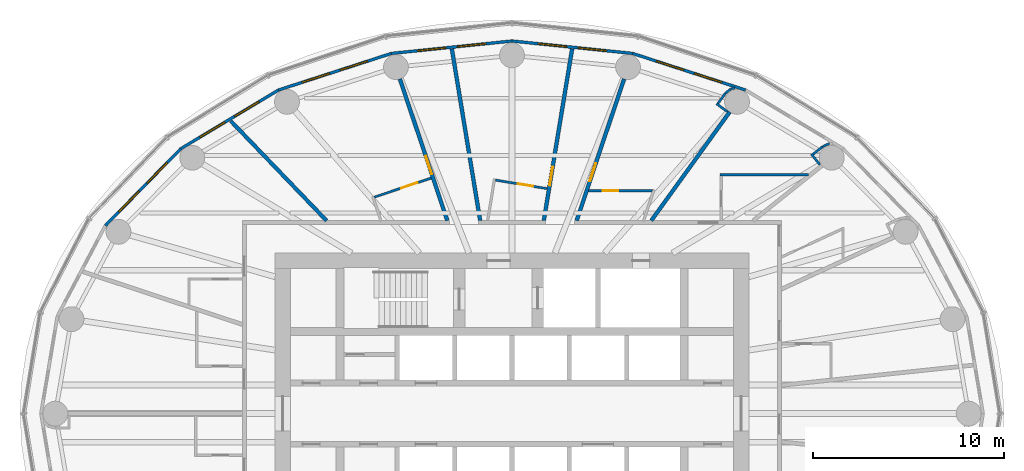
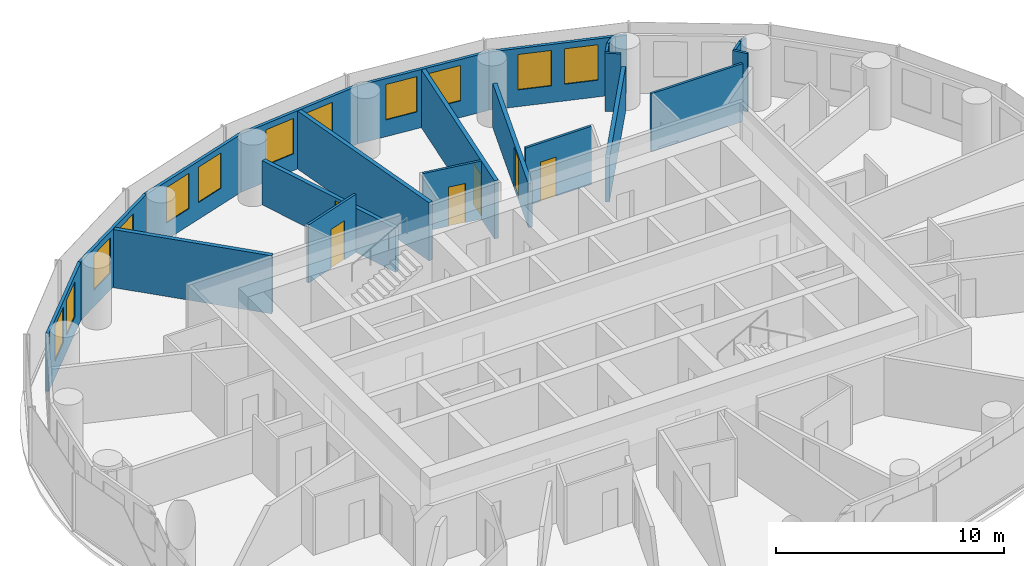
# One storey, part 11 of 13: 23 walls, 12 windows, 6 doors, 18 openings.
"""IFC4 building model written with IfcOpenShell, lengths in metres."""

from ifc_helpers import new_model, si_unit, direction, frame, frame_2d, origin, place, context, subcontext, project, spatial, rectangle, extrude, material, layer, layer_set, type_object, element, fill, save


model = new_model("IFC4")

# Units and contexts
model_context = context("Model", 3, precision=1e-05, world=origin(), true_north=direction((0.0, 1.0)))
body_context = subcontext(model_context, "Body", "Model", "MODEL_VIEW")
ifc_project = project(units=[si_unit("LENGTHUNIT", "METRE"), si_unit("AREAUNIT", "SQUARE_METRE"), si_unit("VOLUMEUNIT", "CUBIC_METRE"), si_unit("PLANEANGLEUNIT", "RADIAN"), si_unit("MASSUNIT", "GRAM", prefix="KILO")], contexts=[model_context])

# Site, building, storey
site_placement = place(None, origin())
site = spatial("IfcSite", under=ifc_project, at=site_placement, CompositionType="ELEMENT")
building_placement = place(site_placement, origin())
building = spatial("IfcBuilding", under=site, at=building_placement, Name="Hankou Lantern Tower", CompositionType="ELEMENT")
storey_placement = place(building_placement, frame((0.0, 0.0, 125.39990234375)))
storey = spatial("IfcBuildingStorey", under=building, at=storey_placement, Name="L32", CompositionType="ELEMENT", Elevation=125.39990234375)

# Wall, openings, windows
ifc_material_1 = material(Name="Aluminium spandrel panel on steel studs", Category="steel")
ifc_layer_1 = layer(ifc_material_1, 0.14990234375)
ifc_layer_set_1 = layer_set([ifc_layer_1], Name="Aluminium spandrel panel on steel studs")
wall_type_1 = type_object("IfcWallType", Name="EW1 INNER SKIN WALL 150", PredefinedType="ELEMENTEDWALL", material=ifc_layer_set_1)
wall_1_placement = place(storey_placement, frame((12.221435546875, 16.9345703125, 0.0), z_axis=(0.0, 0.0, 1.0), x_axis=(-0.951272691506, 0.308350881944, 0.0)))
wall_1 = element("IfcWall", 1, at=wall_1_placement, inside=storey, type_object=wall_type_1, Name="Inner skin R05-R06 L32", PredefinedType="ELEMENTEDWALL", context=body_context, shape_type="SweptSolid", body=[
    extrude(rectangle(XDim=6.210693359375, YDim=0.14990234375, at=frame_2d((3.10546875, 0.0))), origin(), (0.0, 0.0, 1.0), 3.1201171875),
])
opening_1_placement = place(wall_1_placement, frame((1.305419921875, 0.0, 0.89990234375)))
opening_1 = element("IfcOpeningElement", 2, at=opening_1_placement, cuts=wall_1, Name="Opening W2", PredefinedType="OPENING", context=body_context, shape_type="SweptSolid", body=[
    extrude(rectangle(XDim=1.5, YDim=1.89990234375, at=frame_2d((0.75, 0.949951171875))), frame((0.0, 0.0849609375, 0.0), z_axis=(0.0, -1.0, 0.0), x_axis=(1.0, 0.0, 0.0)), (0.0, 0.0, 1.0), 0.169921875),
])
opening_2_placement = place(wall_1_placement, frame((3.4052734375, 0.0, 0.89990234375)))
opening_2 = element("IfcOpeningElement", 3, at=opening_2_placement, cuts=wall_1, Name="Opening W2", PredefinedType="OPENING", context=body_context, shape_type="SweptSolid", body=[
    extrude(rectangle(XDim=1.5, YDim=1.89990234375, at=frame_2d((0.75, 0.949951171875))), frame((0.0, 0.0849609375, 0.0), z_axis=(0.0, -1.0, 0.0), x_axis=(1.0, 0.0, 0.0)), (0.0, 0.0, 1.0), 0.169921875),
])
ifc_material_2 = material(Name="Aluminium framed double glazed window", Category="aluminium")
window_type = type_object("IfcWindowType", Name="W2 GUEST ROOM WINDOW 1500X1900", PartitioningType="DOUBLE_PANEL_VERTICAL", PredefinedType="WINDOW", material=ifc_material_2)
window_1_placement = place(opening_1_placement, origin())
window_1 = element("IfcWindow", 4, at=window_1_placement, inside=storey, type_object=window_type, Name="Window R05.1 L32", OverallHeight=1.89990234375, OverallWidth=1.5, PartitioningType="SINGLE_PANEL", PredefinedType="WINDOW", context=body_context, shape_type="SweptSolid", body=[
    extrude(rectangle(XDim=1.5, YDim=1.89990234375, at=frame_2d((0.75, 0.949951171875))), frame((0.0, 0.030029296875, 0.0), z_axis=(0.0, -1.0, 0.0), x_axis=(1.0, 0.0, 0.0)), (0.0, 0.0, 1.0), 0.06005859375),
])
fill(opening_1, window_1)
window_2_placement = place(opening_2_placement, origin())
window_2 = element("IfcWindow", 5, at=window_2_placement, inside=storey, type_object=window_type, Name="Window R05.2 L32", OverallHeight=1.89990234375, OverallWidth=1.5, PartitioningType="SINGLE_PANEL", PredefinedType="WINDOW", context=body_context, shape_type="SweptSolid", body=[
    extrude(rectangle(XDim=1.5, YDim=1.89990234375, at=frame_2d((0.75, 0.949951171875))), frame((0.0, 0.030029296875, 0.0), z_axis=(0.0, -1.0, 0.0), x_axis=(1.0, 0.0, 0.0)), (0.0, 0.0, 1.0), 0.06005859375),
])
fill(opening_2, window_2)

wall_2_placement = place(storey_placement, frame((6.3134765625, 18.849609375, 0.0), z_axis=(0.0, 0.0, 1.0), x_axis=(-0.994735690163, 0.102473931887, 0.0)))
wall_2 = element("IfcWall", 6, at=wall_2_placement, inside=storey, type_object=wall_type_1, Name="Inner skin R06-R07 L32", PredefinedType="ELEMENTEDWALL", context=body_context, shape_type="SweptSolid", body=[
    extrude(rectangle(XDim=6.346923828125, YDim=0.14990234375, at=frame_2d((3.17333984375, 0.0))), origin(), (0.0, 0.0, 1.0), 3.1201171875),
])
opening_3_placement = place(wall_2_placement, frame((1.373291015625, 0.0, 0.89990234375)))
opening_3 = element("IfcOpeningElement", 7, at=opening_3_placement, cuts=wall_2, Name="Opening W2", PredefinedType="OPENING", context=body_context, shape_type="SweptSolid", body=[
    extrude(rectangle(XDim=1.5, YDim=1.89990234375, at=frame_2d((0.75, 0.949951171875))), frame((0.0, 0.0849609375, 0.0), z_axis=(0.0, -1.0, 0.0), x_axis=(1.0, 0.0, 0.0)), (0.0, 0.0, 1.0), 0.169921875),
])
opening_4_placement = place(wall_2_placement, frame((3.473388671875, 0.0, 0.89990234375)))
opening_4 = element("IfcOpeningElement", 8, at=opening_4_placement, cuts=wall_2, Name="Opening W2", PredefinedType="OPENING", context=body_context, shape_type="SweptSolid", body=[
    extrude(rectangle(XDim=1.5, YDim=1.89990234375, at=frame_2d((0.75, 0.949951171875))), frame((0.0, 0.0849609375, 0.0), z_axis=(0.0, -1.0, 0.0), x_axis=(1.0, 0.0, 0.0)), (0.0, 0.0, 1.0), 0.169921875),
])
window_3_placement = place(opening_3_placement, origin())
window_3 = element("IfcWindow", 9, at=window_3_placement, inside=storey, type_object=window_type, Name="Window R06.1 L32", OverallHeight=1.89990234375, OverallWidth=1.5, PartitioningType="SINGLE_PANEL", PredefinedType="WINDOW", context=body_context, shape_type="SweptSolid", body=[
    extrude(rectangle(XDim=1.5, YDim=1.89990234375, at=frame_2d((0.75, 0.949951171875))), frame((0.0, 0.030029296875, 0.0), z_axis=(0.0, -1.0, 0.0), x_axis=(1.0, 0.0, 0.0)), (0.0, 0.0, 1.0), 0.06005859375),
])
fill(opening_3, window_3)
window_4_placement = place(opening_4_placement, origin())
window_4 = element("IfcWindow", 10, at=window_4_placement, inside=storey, type_object=window_type, Name="Window R06.2 L32", OverallHeight=1.89990234375, OverallWidth=1.5, PartitioningType="SINGLE_PANEL", PredefinedType="WINDOW", context=body_context, shape_type="SweptSolid", body=[
    extrude(rectangle(XDim=1.5, YDim=1.89990234375, at=frame_2d((0.75, 0.949951171875))), frame((0.0, 0.030029296875, 0.0), z_axis=(0.0, -1.0, 0.0), x_axis=(1.0, 0.0, 0.0)), (0.0, 0.0, 1.0), 0.06005859375),
])
fill(opening_4, window_4)

wall_3_placement = place(storey_placement, frame((0.0, 19.5, 0.0), z_axis=(0.0, 0.0, 1.0), x_axis=(-0.994735690163, -0.102473931887, 0.0)))
wall_3 = element("IfcWall", 11, at=wall_3_placement, inside=storey, type_object=wall_type_1, Name="Inner skin R07-R08 L32", PredefinedType="ELEMENTEDWALL", context=body_context, shape_type="SweptSolid", body=[
    extrude(rectangle(XDim=6.346923828125, YDim=0.14990234375, at=frame_2d((3.17333984375, 0.0))), origin(), (0.0, 0.0, 1.0), 3.1201171875),
])
opening_5_placement = place(wall_3_placement, frame((1.373291015625, 0.0, 0.89990234375)))
opening_5 = element("IfcOpeningElement", 12, at=opening_5_placement, cuts=wall_3, Name="Opening W2", PredefinedType="OPENING", context=body_context, shape_type="SweptSolid", body=[
    extrude(rectangle(XDim=1.5, YDim=1.89990234375, at=frame_2d((0.75, 0.949951171875))), frame((0.0, 0.0849609375, 0.0), z_axis=(0.0, -1.0, 0.0), x_axis=(1.0, 0.0, 0.0)), (0.0, 0.0, 1.0), 0.169921875),
])
opening_6_placement = place(wall_3_placement, frame((3.473388671875, 0.0, 0.89990234375)))
opening_6 = element("IfcOpeningElement", 13, at=opening_6_placement, cuts=wall_3, Name="Opening W2", PredefinedType="OPENING", context=body_context, shape_type="SweptSolid", body=[
    extrude(rectangle(XDim=1.5, YDim=1.89990234375, at=frame_2d((0.75, 0.949951171875))), frame((0.0, 0.0849609375, 0.0), z_axis=(0.0, -1.0, 0.0), x_axis=(1.0, 0.0, 0.0)), (0.0, 0.0, 1.0), 0.169921875),
])
window_5_placement = place(opening_5_placement, origin())
window_5 = element("IfcWindow", 14, at=window_5_placement, inside=storey, type_object=window_type, Name="Window R07.1 L32", OverallHeight=1.89990234375, OverallWidth=1.5, PartitioningType="SINGLE_PANEL", PredefinedType="WINDOW", context=body_context, shape_type="SweptSolid", body=[
    extrude(rectangle(XDim=1.5, YDim=1.89990234375, at=frame_2d((0.75, 0.949951171875))), frame((0.0, 0.030029296875, 0.0), z_axis=(0.0, -1.0, 0.0), x_axis=(1.0, 0.0, 0.0)), (0.0, 0.0, 1.0), 0.06005859375),
])
fill(opening_5, window_5)
window_6_placement = place(opening_6_placement, origin())
window_6 = element("IfcWindow", 15, at=window_6_placement, inside=storey, type_object=window_type, Name="Window R07.2 L32", OverallHeight=1.89990234375, OverallWidth=1.5, PartitioningType="SINGLE_PANEL", PredefinedType="WINDOW", context=body_context, shape_type="SweptSolid", body=[
    extrude(rectangle(XDim=1.5, YDim=1.89990234375, at=frame_2d((0.75, 0.949951171875))), frame((0.0, 0.030029296875, 0.0), z_axis=(0.0, -1.0, 0.0), x_axis=(1.0, 0.0, 0.0)), (0.0, 0.0, 1.0), 0.06005859375),
])
fill(opening_6, window_6)

wall_4_placement = place(storey_placement, frame((-6.3134765625, 18.849609375, 0.0), z_axis=(0.0, 0.0, 1.0), x_axis=(-0.951272691506, -0.308350881944, 0.0)))
wall_4 = element("IfcWall", 16, at=wall_4_placement, inside=storey, type_object=wall_type_1, Name="Inner skin R08-R09 L32", PredefinedType="ELEMENTEDWALL", context=body_context, shape_type="SweptSolid", body=[
    extrude(rectangle(XDim=6.210693359375, YDim=0.14990234375, at=frame_2d((3.10546875, 0.0))), origin(), (0.0, 0.0, 1.0), 3.1201171875),
])
opening_7_placement = place(wall_4_placement, frame((1.305419921875, 0.0, 0.89990234375)))
opening_7 = element("IfcOpeningElement", 17, at=opening_7_placement, cuts=wall_4, Name="Opening W2", PredefinedType="OPENING", context=body_context, shape_type="SweptSolid", body=[
    extrude(rectangle(XDim=1.5, YDim=1.89990234375, at=frame_2d((0.75, 0.949951171875))), frame((0.0, 0.0849609375, 0.0), z_axis=(0.0, -1.0, 0.0), x_axis=(1.0, 0.0, 0.0)), (0.0, 0.0, 1.0), 0.169921875),
])
opening_8_placement = place(wall_4_placement, frame((3.4052734375, 0.0, 0.89990234375)))
opening_8 = element("IfcOpeningElement", 18, at=opening_8_placement, cuts=wall_4, Name="Opening W2", PredefinedType="OPENING", context=body_context, shape_type="SweptSolid", body=[
    extrude(rectangle(XDim=1.5, YDim=1.89990234375, at=frame_2d((0.75, 0.949951171875))), frame((0.0, 0.0849609375, 0.0), z_axis=(0.0, -1.0, 0.0), x_axis=(1.0, 0.0, 0.0)), (0.0, 0.0, 1.0), 0.169921875),
])
window_7_placement = place(opening_7_placement, origin())
window_7 = element("IfcWindow", 19, at=window_7_placement, inside=storey, type_object=window_type, Name="Window R08.1 L32", OverallHeight=1.89990234375, OverallWidth=1.5, PartitioningType="SINGLE_PANEL", PredefinedType="WINDOW", context=body_context, shape_type="SweptSolid", body=[
    extrude(rectangle(XDim=1.5, YDim=1.89990234375, at=frame_2d((0.75, 0.949951171875))), frame((0.0, 0.030029296875, 0.0), z_axis=(0.0, -1.0, 0.0), x_axis=(1.0, 0.0, 0.0)), (0.0, 0.0, 1.0), 0.06005859375),
])
fill(opening_7, window_7)
window_8_placement = place(opening_8_placement, origin())
window_8 = element("IfcWindow", 20, at=window_8_placement, inside=storey, type_object=window_type, Name="Window R08.2 L32", OverallHeight=1.89990234375, OverallWidth=1.5, PartitioningType="SINGLE_PANEL", PredefinedType="WINDOW", context=body_context, shape_type="SweptSolid", body=[
    extrude(rectangle(XDim=1.5, YDim=1.89990234375, at=frame_2d((0.75, 0.949951171875))), frame((0.0, 0.030029296875, 0.0), z_axis=(0.0, -1.0, 0.0), x_axis=(1.0, 0.0, 0.0)), (0.0, 0.0, 1.0), 0.06005859375),
])
fill(opening_8, window_8)

wall_5_placement = place(storey_placement, frame((-12.221435546875, 16.9345703125, 0.0), z_axis=(0.0, 0.0, 1.0), x_axis=(-0.857308573723, -0.514802884044, 0.0)))
wall_5 = element("IfcWall", 21, at=wall_5_placement, inside=storey, type_object=wall_type_1, Name="Inner skin R09-R10 L32", PredefinedType="ELEMENTEDWALL", context=body_context, shape_type="SweptSolid", body=[
    extrude(rectangle(XDim=5.961181640625, YDim=0.14990234375, at=frame_2d((2.98046875, 0.0))), origin(), (0.0, 0.0, 1.0), 3.1201171875),
])
opening_9_placement = place(wall_5_placement, frame((1.1806640625, 0.0, 0.89990234375)))
opening_9 = element("IfcOpeningElement", 22, at=opening_9_placement, cuts=wall_5, Name="Opening W2", PredefinedType="OPENING", context=body_context, shape_type="SweptSolid", body=[
    extrude(rectangle(XDim=1.5, YDim=1.89990234375, at=frame_2d((0.75, 0.949951171875))), frame((0.0, 0.0849609375, 0.0), z_axis=(0.0, -1.0, 0.0), x_axis=(1.0, 0.0, 0.0)), (0.0, 0.0, 1.0), 0.169921875),
])
opening_10_placement = place(wall_5_placement, frame((3.280517578125, 0.0, 0.89990234375)))
opening_10 = element("IfcOpeningElement", 23, at=opening_10_placement, cuts=wall_5, Name="Opening W2", PredefinedType="OPENING", context=body_context, shape_type="SweptSolid", body=[
    extrude(rectangle(XDim=1.5, YDim=1.89990234375, at=frame_2d((0.75, 0.949951171875))), frame((0.0, 0.0849609375, 0.0), z_axis=(0.0, -1.0, 0.0), x_axis=(1.0, 0.0, 0.0)), (0.0, 0.0, 1.0), 0.169921875),
])
window_9_placement = place(opening_9_placement, origin())
window_9 = element("IfcWindow", 24, at=window_9_placement, inside=storey, type_object=window_type, Name="Window R09.1 L32", OverallHeight=1.89990234375, OverallWidth=1.5, PartitioningType="SINGLE_PANEL", PredefinedType="WINDOW", context=body_context, shape_type="SweptSolid", body=[
    extrude(rectangle(XDim=1.5, YDim=1.89990234375, at=frame_2d((0.75, 0.949951171875))), frame((0.0, 0.030029296875, 0.0), z_axis=(0.0, -1.0, 0.0), x_axis=(1.0, 0.0, 0.0)), (0.0, 0.0, 1.0), 0.06005859375),
])
fill(opening_9, window_9)
window_10_placement = place(opening_10_placement, origin())
window_10 = element("IfcWindow", 25, at=window_10_placement, inside=storey, type_object=window_type, Name="Window R09.2 L32", OverallHeight=1.89990234375, OverallWidth=1.5, PartitioningType="SINGLE_PANEL", PredefinedType="WINDOW", context=body_context, shape_type="SweptSolid", body=[
    extrude(rectangle(XDim=1.5, YDim=1.89990234375, at=frame_2d((0.75, 0.949951171875))), frame((0.0, 0.030029296875, 0.0), z_axis=(0.0, -1.0, 0.0), x_axis=(1.0, 0.0, 0.0)), (0.0, 0.0, 1.0), 0.06005859375),
])
fill(opening_10, window_10)

wall_6_placement = place(storey_placement, frame((-17.33203125, 13.86572265625, 0.0), z_axis=(0.0, 0.0, 1.0), x_axis=(-0.700136650834, -0.714008872605, 0.0)))
wall_6 = element("IfcWall", 26, at=wall_6_placement, inside=storey, type_object=wall_type_1, Name="Inner skin R10-R11 L32", PredefinedType="ELEMENTEDWALL", context=body_context, shape_type="SweptSolid", body=[
    extrude(rectangle(XDim=5.6494140625, YDim=0.14990234375, at=frame_2d((2.82470703125, 0.0))), origin(), (0.0, 0.0, 1.0), 3.1201171875),
])
opening_11_placement = place(wall_6_placement, frame((1.024658203125, 0.0, 0.89990234375)))
opening_11 = element("IfcOpeningElement", 27, at=opening_11_placement, cuts=wall_6, Name="Opening W2", PredefinedType="OPENING", context=body_context, shape_type="SweptSolid", body=[
    extrude(rectangle(XDim=1.5, YDim=1.89990234375, at=frame_2d((0.75, 0.949951171875))), frame((0.0, 0.0849609375, 0.0), z_axis=(0.0, -1.0, 0.0), x_axis=(1.0, 0.0, 0.0)), (0.0, 0.0, 1.0), 0.169921875),
])
opening_12_placement = place(wall_6_placement, frame((3.12451171875, 0.0, 0.89990234375)))
opening_12 = element("IfcOpeningElement", 28, at=opening_12_placement, cuts=wall_6, Name="Opening W2", PredefinedType="OPENING", context=body_context, shape_type="SweptSolid", body=[
    extrude(rectangle(XDim=1.5, YDim=1.89990234375, at=frame_2d((0.75, 0.949951171875))), frame((0.0, 0.0849609375, 0.0), z_axis=(0.0, -1.0, 0.0), x_axis=(1.0, 0.0, 0.0)), (0.0, 0.0, 1.0), 0.169921875),
])
window_11_placement = place(opening_11_placement, origin())
window_11 = element("IfcWindow", 29, at=window_11_placement, inside=storey, type_object=window_type, Name="Window R10.1 L32", OverallHeight=1.89990234375, OverallWidth=1.5, PartitioningType="SINGLE_PANEL", PredefinedType="WINDOW", context=body_context, shape_type="SweptSolid", body=[
    extrude(rectangle(XDim=1.5, YDim=1.89990234375, at=frame_2d((0.75, 0.949951171875))), frame((0.0, 0.030029296875, 0.0), z_axis=(0.0, -1.0, 0.0), x_axis=(1.0, 0.0, 0.0)), (0.0, 0.0, 1.0), 0.06005859375),
])
fill(opening_11, window_11)
window_12_placement = place(opening_12_placement, origin())
window_12 = element("IfcWindow", 30, at=window_12_placement, inside=storey, type_object=window_type, Name="Window R10.2 L32", OverallHeight=1.89990234375, OverallWidth=1.5, PartitioningType="SINGLE_PANEL", PredefinedType="WINDOW", context=body_context, shape_type="SweptSolid", body=[
    extrude(rectangle(XDim=1.5, YDim=1.89990234375, at=frame_2d((0.75, 0.949951171875))), frame((0.0, 0.030029296875, 0.0), z_axis=(0.0, -1.0, 0.0), x_axis=(1.0, 0.0, 0.0)), (0.0, 0.0, 1.0), 0.06005859375),
])
fill(opening_12, window_12)

# Walls
ifc_material_3 = material(Name="Masonry lightweight concrete block", Category="masonry")
ifc_layer_2 = layer(ifc_material_3, 0.199951171875)
ifc_layer_set_2 = layer_set([ifc_layer_2], Name="Masonry lightweight concrete block")
wall_type_2 = type_object("IfcWallType", Name="IW1 GUEST ROOM PARTY WALL 200", PredefinedType="PARTITIONING", material=ifc_layer_set_2)
wall_7_placement = place(storey_placement, frame((7.2890625, 10.10009765625, 0.0), z_axis=(0.0, 0.0, 1.0), x_axis=(0.585217367024, 0.81087645997, 0.0)))
element("IfcWall", 31, at=wall_7_placement, inside=storey, type_object=wall_type_2, Name="Party wall R05", PredefinedType="PARTITIONING", context=body_context, shape_type="SweptSolid", body=[
    extrude(rectangle(XDim=7.01611328125, YDim=0.199951171875, at=frame_2d((3.508056640625, 0.0))), origin(), (0.0, 0.0, 1.0), 2.3701171875),
])
wall_8_placement = place(storey_placement, frame((-9.706298828125, 10.10009765625, 0.0), z_axis=(0.0, 0.0, 1.0), x_axis=(-0.692944801824, 0.720990639069, 0.0)))
element("IfcWall", 32, at=wall_8_placement, inside=storey, type_object=wall_type_2, Name="Party wall R09-R10", PredefinedType="PARTITIONING", context=body_context, shape_type="SweptSolid", body=[
    extrude(rectangle(XDim=7.23388671875, YDim=0.199951171875, at=frame_2d((3.616943359375, 0.0))), origin(), (0.0, 0.0, 1.0), 3.1201171875),
])

# Wall, opening, door
ifc_material_4 = material(Name="Masonry lightweight concrete block", Category="masonry")
ifc_layer_3 = layer(ifc_material_4, 0.199951171875)
ifc_layer_set_3 = layer_set([ifc_layer_3], Name="Masonry lightweight concrete block")
wall_type_3 = type_object("IfcWallType", Name="IW2 CORRIDOR WALL 200", PredefinedType="PARTITIONING", material=ifc_layer_set_3)
wall_9_placement = place(storey_placement, frame((3.3828125, 10.10009765625, 0.0), z_axis=(0.0, 0.0, 1.0), x_axis=(0.317603705574, 0.948223542318, 0.0)))
wall_9 = element("IfcWall", 33, at=wall_9_placement, inside=storey, type_object=wall_type_3, Name="Corridor spur wall R06", PredefinedType="PARTITIONING", context=body_context, shape_type="SweptSolid", body=[
    extrude(rectangle(XDim=7.822998046875, YDim=0.199951171875, at=frame_2d((3.91162109375, 0.0))), origin(), (0.0, 0.0, 1.0), 2.3701171875),
])
opening_13_placement = place(wall_9_placement, frame((2.168212890625, 0.0, 0.0)))
opening_13 = element("IfcOpeningElement", 34, at=opening_13_placement, cuts=wall_9, Name="Opening D1", PredefinedType="OPENING", context=body_context, shape_type="SweptSolid", body=[
    extrude(rectangle(XDim=1.0, YDim=2.199951171875, at=frame_2d((0.5, 1.10009765625))), frame((0.0, 0.10986328125, 0.0), z_axis=(0.0, -1.0, 0.0), x_axis=(1.0, 0.0, 0.0)), (0.0, 0.0, 1.0), 0.219970703125),
])
ifc_material_5 = material(Name="Steel door leaf", Category="steel")
door_type_1 = type_object("IfcDoorType", Name="D1 GUEST ROOM DOOR 1000X2200", OperationType="SINGLE_SWING_LEFT", PredefinedType="DOOR", material=ifc_material_5)
door_1_placement = place(opening_13_placement, origin())
door_1 = element("IfcDoor", 35, at=door_1_placement, inside=storey, type_object=door_type_1, Name="Guest room door 3220", OperationType="SINGLE_SWING_LEFT", OverallHeight=2.199951171875, OverallWidth=1.0, PredefinedType="DOOR", context=body_context, shape_type="SweptSolid", body=[
    extrude(rectangle(XDim=1.0, YDim=2.199951171875, at=frame_2d((0.5, 1.10009765625))), frame((0.0, 0.02490234375, 0.0), z_axis=(0.0, -1.0, 0.0), x_axis=(1.0, 0.0, 0.0)), (0.0, 0.0, 1.0), 0.050048828125),
])
fill(opening_13, door_1)

wall_10_placement = place(storey_placement, frame((1.665283203125, 10.10009765625, 0.0), z_axis=(0.0, 0.0, 1.0), x_axis=(0.162660519103, 0.986682094459, 0.0)))
wall_10 = element("IfcWall", 36, at=wall_10_placement, inside=storey, type_object=wall_type_3, Name="Corridor spur wall R06-R07", PredefinedType="PARTITIONING", context=body_context, shape_type="SweptSolid", body=[
    extrude(rectangle(XDim=9.110595703125, YDim=0.199951171875, at=frame_2d((4.55517578125, 0.0))), origin(), (0.0, 0.0, 1.0), 3.1201171875),
])
opening_14_placement = place(wall_10_placement, frame((1.860107421875, 0.0, 0.0)))
opening_14 = element("IfcOpeningElement", 37, at=opening_14_placement, cuts=wall_10, Name="Opening D1", PredefinedType="OPENING", context=body_context, shape_type="SweptSolid", body=[
    extrude(rectangle(XDim=1.0, YDim=2.199951171875, at=frame_2d((0.5, 1.10009765625))), frame((0.0, 0.10986328125, 0.0), z_axis=(0.0, -1.0, 0.0), x_axis=(1.0, 0.0, 0.0)), (0.0, 0.0, 1.0), 0.219970703125),
])
door_2_placement = place(opening_14_placement, origin())
door_2 = element("IfcDoor", 38, at=door_2_placement, inside=storey, type_object=door_type_1, Name="Guest room door 3202", OperationType="SINGLE_SWING_LEFT", OverallHeight=2.199951171875, OverallWidth=1.0, PredefinedType="DOOR", context=body_context, shape_type="SweptSolid", body=[
    extrude(rectangle(XDim=1.0, YDim=2.199951171875, at=frame_2d((0.5, 1.10009765625))), frame((0.0, 0.02490234375, 0.0), z_axis=(0.0, -1.0, 0.0), x_axis=(1.0, 0.0, 0.0)), (0.0, 0.0, 1.0), 0.050048828125),
])
fill(opening_14, door_2)

# Wall
wall_11_placement = place(storey_placement, frame((-1.665283203125, 10.10009765625, 0.0), z_axis=(0.0, 0.0, 1.0), x_axis=(-0.162660519103, 0.986682094459, 0.0)))
element("IfcWall", 39, at=wall_11_placement, inside=storey, type_object=wall_type_3, Name="Corridor spur wall R07-R08", PredefinedType="PARTITIONING", context=body_context, shape_type="SweptSolid", body=[
    extrude(rectangle(XDim=9.110595703125, YDim=0.199951171875, at=frame_2d((4.55517578125, 0.0))), origin(), (0.0, 0.0, 1.0), 3.1201171875),
])

# Wall, opening, door
wall_12_placement = place(storey_placement, frame((-3.3828125, 10.10009765625, 0.0), z_axis=(0.0, 0.0, 1.0), x_axis=(-0.317603705574, 0.948223542318, 0.0)))
wall_12 = element("IfcWall", 40, at=wall_12_placement, inside=storey, type_object=wall_type_3, Name="Corridor spur wall R08", PredefinedType="PARTITIONING", context=body_context, shape_type="SweptSolid", body=[
    extrude(rectangle(XDim=7.822998046875, YDim=0.199951171875, at=frame_2d((3.91162109375, 0.0))), origin(), (0.0, 0.0, 1.0), 2.3701171875),
])
opening_15_placement = place(wall_12_placement, frame((2.56005859375, 0.0, 0.0)))
opening_15 = element("IfcOpeningElement", 41, at=opening_15_placement, cuts=wall_12, Name="Opening D1", PredefinedType="OPENING", context=body_context, shape_type="SweptSolid", body=[
    extrude(rectangle(XDim=1.0, YDim=2.199951171875, at=frame_2d((0.5, 1.10009765625))), frame((0.0, 0.10986328125, 0.0), z_axis=(0.0, -1.0, 0.0), x_axis=(1.0, 0.0, 0.0)), (0.0, 0.0, 1.0), 0.219970703125),
])
door_3_placement = place(opening_15_placement, origin())
door_3 = element("IfcDoor", 42, at=door_3_placement, inside=storey, type_object=door_type_1, Name="Guest room door 3204", OperationType="SINGLE_SWING_LEFT", OverallHeight=2.199951171875, OverallWidth=1.0, PredefinedType="DOOR", context=body_context, shape_type="SweptSolid", body=[
    extrude(rectangle(XDim=1.0, YDim=2.199951171875, at=frame_2d((0.5, 1.10009765625))), frame((0.0, 0.02490234375, 0.0), z_axis=(0.0, -1.0, 0.0), x_axis=(1.0, 0.0, 0.0)), (0.0, 0.0, 1.0), 0.050048828125),
])
fill(opening_15, door_3)

ifc_material_6 = material(Name="Masonry lightweight concrete block", Category="masonry")
ifc_layer_4 = layer(ifc_material_6, 0.1201171875)
ifc_layer_set_4 = layer_set([ifc_layer_4], Name="Masonry lightweight concrete block")
wall_type_4 = type_object("IfcWallType", Name="IW3 BATHROOM WALL 120", PredefinedType="PARTITIONING", material=ifc_layer_set_4)
wall_13_placement = place(storey_placement, frame((1.83984375, 11.77392578125, 0.0), z_axis=(0.0, 0.0, 1.0), x_axis=(-0.986676602341, 0.162693830222, 0.0)))
wall_13 = element("IfcWall", 43, at=wall_13_placement, inside=storey, type_object=wall_type_4, Name="Box wall 3202 1", PredefinedType="PARTITIONING", context=body_context, shape_type="SweptSolid", body=[
    extrude(rectangle(XDim=2.740234375, YDim=0.1201171875, at=frame_2d((1.3701171875, 0.0))), origin(), (0.0, 0.0, 1.0), 3.1201171875),
])
opening_16_placement = place(wall_13_placement, frame((0.75, 0.0, 0.0)))
opening_16 = element("IfcOpeningElement", 44, at=opening_16_placement, cuts=wall_13, Name="Opening D3", PredefinedType="OPENING", context=body_context, shape_type="SweptSolid", body=[
    extrude(rectangle(XDim=0.800048828125, YDim=2.10009765625, at=frame_2d((0.39990234375, 1.050048828125))), frame((0.0, 0.070068359375, 0.0), z_axis=(0.0, -1.0, 0.0), x_axis=(1.0, 0.0, 0.0)), (0.0, 0.0, 1.0), 0.14013671875),
])
ifc_material_7 = material(Name="Timber door leaf", Category="wood")
door_type_2 = type_object("IfcDoorType", Name="D3 BATHROOM DOOR 800X2100", OperationType="SINGLE_SWING_LEFT", PredefinedType="DOOR", material=ifc_material_7)
door_4_placement = place(opening_16_placement, origin())
door_4 = element("IfcDoor", 45, at=door_4_placement, inside=storey, type_object=door_type_2, Name="En-suite bathroom 3202 door", OperationType="SINGLE_SWING_LEFT", OverallHeight=2.10009765625, OverallWidth=0.800048828125, PredefinedType="DOOR", context=body_context, shape_type="SweptSolid", body=[
    extrude(rectangle(XDim=0.800048828125, YDim=2.10009765625, at=frame_2d((0.39990234375, 1.050048828125))), frame((0.0, 0.02490234375, 0.0), z_axis=(0.0, -1.0, 0.0), x_axis=(1.0, 0.0, 0.0)), (0.0, 0.0, 1.0), 0.050048828125),
])
fill(opening_16, door_4)

wall_14_placement = place(storey_placement, frame((-4.233642578125, 12.324951171875, 0.0), z_axis=(0.0, 0.0, 1.0), x_axis=(-0.948239154858, -0.317557089663, 0.0)))
wall_14 = element("IfcWall", 46, at=wall_14_placement, inside=storey, type_object=wall_type_4, Name="Box wall 3204 1", PredefinedType="PARTITIONING", context=body_context, shape_type="SweptSolid", body=[
    extrude(rectangle(XDim=3.139892578125, YDim=0.1201171875, at=frame_2d((1.56982421875, 0.0))), origin(), (0.0, 0.0, 1.0), 3.1201171875),
])
opening_17_placement = place(wall_14_placement, frame((0.75, 0.0, 0.0)))
opening_17 = element("IfcOpeningElement", 47, at=opening_17_placement, cuts=wall_14, Name="Opening D26", PredefinedType="OPENING", context=body_context, shape_type="SweptSolid", body=[
    extrude(rectangle(XDim=0.89990234375, YDim=2.10009765625, at=frame_2d((0.449951171875, 1.050048828125))), frame((0.0, 0.070068359375, 0.0), z_axis=(0.0, -1.0, 0.0), x_axis=(1.0, 0.0, 0.0)), (0.0, 0.0, 1.0), 0.14013671875),
])
ifc_material_8 = material(Name="Timber door leaf", Category="wood")
door_type_3 = type_object("IfcDoorType", Name="D26 ACCESSIBLE BATHROOM DOOR 900X2100", OperationType="SLIDING_TO_LEFT", PredefinedType="DOOR", material=ifc_material_8)
door_5_placement = place(opening_17_placement, origin())
door_5 = element("IfcDoor", 48, at=door_5_placement, inside=storey, type_object=door_type_3, Name="Accessible bathroom 3204 door", OperationType="SLIDING_TO_LEFT", OverallHeight=2.10009765625, OverallWidth=0.89990234375, PredefinedType="DOOR", context=body_context, shape_type="SweptSolid", body=[
    extrude(rectangle(XDim=0.89990234375, YDim=2.10009765625, at=frame_2d((0.449951171875, 1.050048828125))), frame((0.0, 0.02490234375, 0.0), z_axis=(0.0, -1.0, 0.0), x_axis=(1.0, 0.0, 0.0)), (0.0, 0.0, 1.0), 0.050048828125),
])
fill(opening_17, door_5)

# Wall
wall_15_placement = place(storey_placement, frame((15.52490234375, 12.5, 0.0), z_axis=(0.0, 0.0, 1.0), x_axis=(-1.0, 0.0, 0.0)))
element("IfcWall", 49, at=wall_15_placement, inside=storey, type_object=wall_type_4, Name="Box wall 3219 1", PredefinedType="PARTITIONING", context=body_context, shape_type="SweptSolid", body=[
    extrude(rectangle(XDim=4.639892578125, YDim=0.1201171875, at=frame_2d((2.31982421875, 0.0))), origin(), (0.0, 0.0, 1.0), 3.1201171875),
])

# Wall, opening, door
wall_16_placement = place(storey_placement, frame((4.01123046875, 11.661376953125, 0.0), z_axis=(0.0, 0.0, 1.0), x_axis=(1.0, 0.0, 0.0)))
wall_16 = element("IfcWall", 50, at=wall_16_placement, inside=storey, type_object=wall_type_4, Name="Box wall 3220 1", PredefinedType="PARTITIONING", context=body_context, shape_type="SweptSolid", body=[
    extrude(rectangle(XDim=3.340087890625, YDim=0.1201171875, at=frame_2d((1.669921875, 0.0))), origin(), (0.0, 0.0, 1.0), 3.1201171875),
])
opening_18_placement = place(wall_16_placement, frame((0.75, 0.0, 0.0)))
opening_18 = element("IfcOpeningElement", 51, at=opening_18_placement, cuts=wall_16, Name="Opening D3", PredefinedType="OPENING", context=body_context, shape_type="SweptSolid", body=[
    extrude(rectangle(XDim=0.800048828125, YDim=2.10009765625, at=frame_2d((0.39990234375, 1.050048828125))), frame((0.0, 0.070068359375, 0.0), z_axis=(0.0, -1.0, 0.0), x_axis=(1.0, 0.0, 0.0)), (0.0, 0.0, 1.0), 0.14013671875),
])
door_6_placement = place(opening_18_placement, origin())
door_6 = element("IfcDoor", 52, at=door_6_placement, inside=storey, type_object=door_type_2, Name="En-suite bathroom 3220 door", OperationType="SINGLE_SWING_LEFT", OverallHeight=2.10009765625, OverallWidth=0.800048828125, PredefinedType="DOOR", context=body_context, shape_type="SweptSolid", body=[
    extrude(rectangle(XDim=0.800048828125, YDim=2.10009765625, at=frame_2d((0.39990234375, 1.050048828125))), frame((0.0, 0.02490234375, 0.0), z_axis=(0.0, -1.0, 0.0), x_axis=(1.0, 0.0, 0.0)), (0.0, 0.0, 1.0), 0.050048828125),
])
fill(opening_18, door_6)

# Walls
ifc_material_9 = material(Name="Masonry lightweight concrete block", Category="masonry")
ifc_layer_5 = layer(ifc_material_9, 0.1201171875)
ifc_layer_set_5 = layer_set([ifc_layer_5], Name="Masonry lightweight concrete block")
wall_type_5 = type_object("IfcWallType", Name="IW4 PARTITION 120", PredefinedType="PARTITIONING", material=ifc_layer_set_5)
wall_17_placement = place(storey_placement, frame((16.116943359375, 13.021728515625, 0.0), z_axis=(0.0, 0.0, 1.0), x_axis=(-0.62465344249, 0.780902091677, 0.0)))
element("IfcWall", 53, at=wall_17_placement, inside=storey, type_object=wall_type_5, Name="Column casing R04 return", PredefinedType="PARTITIONING", context=body_context, shape_type="SweptSolid", body=[
    extrude(rectangle(XDim=0.715576171875, YDim=0.1201171875, at=frame_2d((0.35791015625, 0.0))), origin(), (0.0, 0.0, 1.0), 3.1201171875),
])
wall_18_placement = place(storey_placement, frame((15.754150390625, 13.5712890625, 0.0), z_axis=(0.0, 0.0, 1.0), x_axis=(0.780905453553, 0.624649239663, 0.0)))
element("IfcWall", 54, at=wall_18_placement, inside=storey, type_object=wall_type_5, Name="Column casing R04", PredefinedType="PARTITIONING", context=body_context, shape_type="SweptSolid", body=[
    extrude(rectangle(XDim=0.64990234375, YDim=0.1201171875, at=frame_2d((0.324951171875, 0.0))), origin(), (0.0, 0.0, 1.0), 3.1201171875),
])
wall_19_placement = place(storey_placement, frame((16.26171875, 13.977294921875, 0.0), z_axis=(0.0, 0.0, 1.0), x_axis=(0.915985403703, 0.401211590314, 0.0)))
element("IfcWall", 55, at=wall_19_placement, inside=storey, type_object=wall_type_5, Name="Column casing R04", PredefinedType="PARTITIONING", context=body_context, shape_type="SweptSolid", body=[
    extrude(rectangle(XDim=0.391357421875, YDim=0.1201171875, at=frame_2d((0.19580078125, 0.0))), origin(), (0.0, 0.0, 1.0), 3.1201171875),
])
wall_20_placement = place(storey_placement, frame((11.27880859375, 15.799072265625, 0.0), z_axis=(0.0, 0.0, 1.0), x_axis=(-0.810912957127, 0.585166793285, 0.0)))
element("IfcWall", 56, at=wall_20_placement, inside=storey, type_object=wall_type_5, Name="Column casing R05 return", PredefinedType="PARTITIONING", context=body_context, shape_type="SweptSolid", body=[
    extrude(rectangle(XDim=0.7158203125, YDim=0.1201171875, at=frame_2d((0.35791015625, 0.0))), origin(), (0.0, 0.0, 1.0), 3.1201171875),
])
wall_21_placement = place(storey_placement, frame((10.781982421875, 16.2314453125, 0.0), z_axis=(0.0, 0.0, 1.0), x_axis=(0.585175102182, 0.810906961239, 0.0)))
element("IfcWall", 57, at=wall_21_placement, inside=storey, type_object=wall_type_5, Name="Column casing R05", PredefinedType="PARTITIONING", context=body_context, shape_type="SweptSolid", body=[
    extrude(rectangle(XDim=0.64990234375, YDim=0.1201171875, at=frame_2d((0.324951171875, 0.0))), origin(), (0.0, 0.0, 1.0), 3.1201171875),
])
wall_22_placement = place(storey_placement, frame((11.162353515625, 16.758544921875, 0.0), z_axis=(0.0, 0.0, 1.0), x_axis=(0.775178428527, 0.63174235567, 0.0)))
element("IfcWall", 58, at=wall_22_placement, inside=storey, type_object=wall_type_5, Name="Column casing R05", PredefinedType="PARTITIONING", context=body_context, shape_type="SweptSolid", body=[
    extrude(rectangle(XDim=0.3916015625, YDim=0.1201171875, at=frame_2d((0.19580078125, 0.0))), origin(), (0.0, 0.0, 1.0), 3.1201171875),
])
wall_23_placement = place(storey_placement, frame((11.4658203125, 17.005859375, 0.0), z_axis=(0.0, 0.0, 1.0), x_axis=(0.987228877621, 0.15930832744, 0.0)))
element("IfcWall", 59, at=wall_23_placement, inside=storey, type_object=wall_type_5, Name="Column casing R05", PredefinedType="PARTITIONING", context=body_context, shape_type="SweptSolid", body=[
    extrude(rectangle(XDim=0.202392578125, YDim=0.1201171875, at=frame_2d((0.10107421875, 0.0))), origin(), (0.0, 0.0, 1.0), 3.1201171875),
])

save(model, "model.ifc")
